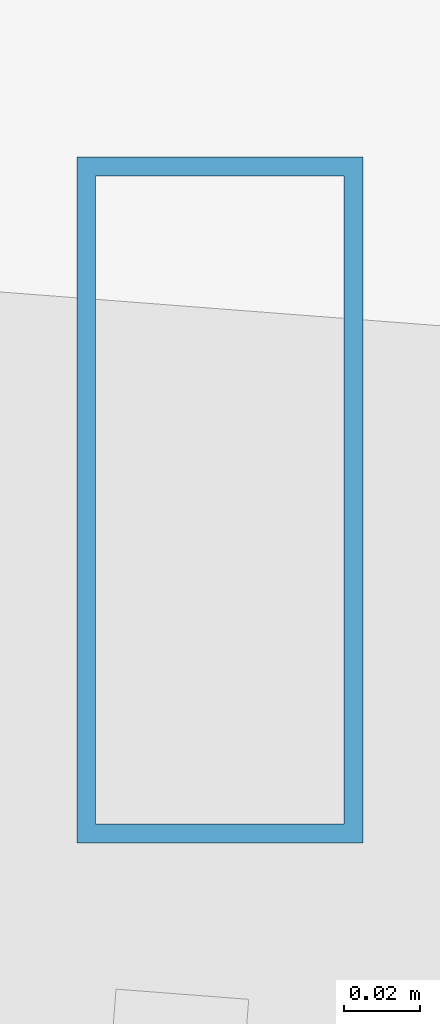
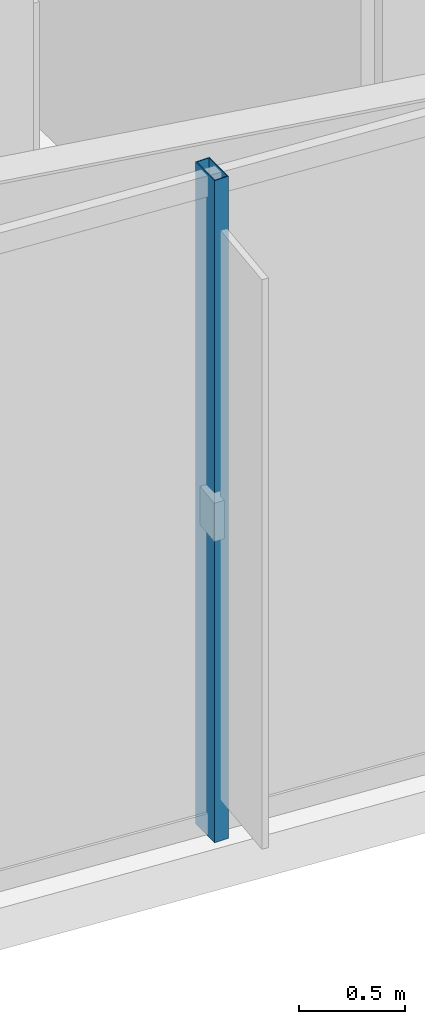
# One storey, part 2 of 30: 1 member, 1 element without a shape of its own.
"""IFC4 building model written with IfcOpenShell, lengths in metres."""

from ifc_helpers import new_model, si_unit, direction, frame, origin, origin_2d, place, context, subcontext, project, spatial, hollow_rectangle, extrude, material, layer, layer_set, material_profile, profile_set, type_object, element, aggregate, save


model = new_model("IFC4")

# Units and contexts
model_context = context("Model", 3, precision=1e-05, world=origin(), true_north=direction((0.0, 1.0)))
body_context = subcontext(model_context, "Body", "Model", "MODEL_VIEW")
ifc_project = project(units=[si_unit("LENGTHUNIT", "METRE"), si_unit("AREAUNIT", "SQUARE_METRE"), si_unit("VOLUMEUNIT", "CUBIC_METRE"), si_unit("PLANEANGLEUNIT", "RADIAN"), si_unit("MASSUNIT", "GRAM", prefix="KILO")], contexts=[model_context])

# Site, building, storey
site_placement = place(None, origin())
site = spatial("IfcSite", under=ifc_project, at=site_placement, CompositionType="ELEMENT")
building_placement = place(site_placement, origin())
building = spatial("IfcBuilding", under=site, at=building_placement, Name="Veymaron Broadcast Tower", CompositionType="ELEMENT")
storey_placement = place(building_placement, frame((0.0, 0.0, 37.800048828125)))
storey = spatial("IfcBuildingStorey", under=building, at=storey_placement, Name="L07", CompositionType="ELEMENT", Elevation=37.800048828125)

# Curtain wall, member
ifc_material_1 = material(Name="Anodised aluminium AA 6063-T6 and laminated low-E dark glass", Category="aluminium")
ifc_layer = layer(ifc_material_1, 0.179931640625)
ifc_layer_set = layer_set([ifc_layer], Name="Anodised aluminium AA 6063-T6 and laminated low-E dark glass")
curtain_wall_type = type_object("IfcCurtainWallType", Name="CW-SYS-02", PredefinedType="NOTDEFINED", material=ifc_layer_set)
curtain_wall_placement = place(storey_placement, origin())
curtain_wall = element("IfcCurtainWall", 1, at=curtain_wall_placement, inside=storey, type_object=curtain_wall_type, Name="L07 dark-glass curtain wall CW-L07-E14-1", PredefinedType="NOTDEFINED")
ifc_material_2 = material(Name="Anodised aluminium AA 6063-T6", Category="aluminium")
ifc_material_profile = material_profile(ifc_material_2, hollow_rectangle(XDim=0.074951171875, YDim=0.179931640625, WallThickness=0.0048828125, at=origin_2d()), Name="AL180X75X5")
ifc_profile_set = profile_set([ifc_material_profile], Name="Anodised aluminium AA 6063-T6")
member_type = type_object("IfcMemberType", Name="CW-MUL-02", PredefinedType="MULLION", material=ifc_profile_set)
member_placement = place(storey_placement, frame((19.142578125, 18.072998046875, 0.0), z_axis=(0.0, 0.0, 1.0), x_axis=(1.0, 0.0, 0.0)))
member = element("IfcMember", 2, at=member_placement, type_object=member_type, Name="CW-L07-E14-1 mullion 2", PredefinedType="MULLION", context=body_context, shape_type="SweptSolid", body=[
    extrude(hollow_rectangle(XDim=0.074951171875, YDim=0.179931640625, WallThickness=0.0048828125, at=origin_2d()), origin(), (0.0, 0.0, 1.0), 3.81005859375),
])
aggregate(curtain_wall, [member])

save(model, "model.ifc")
